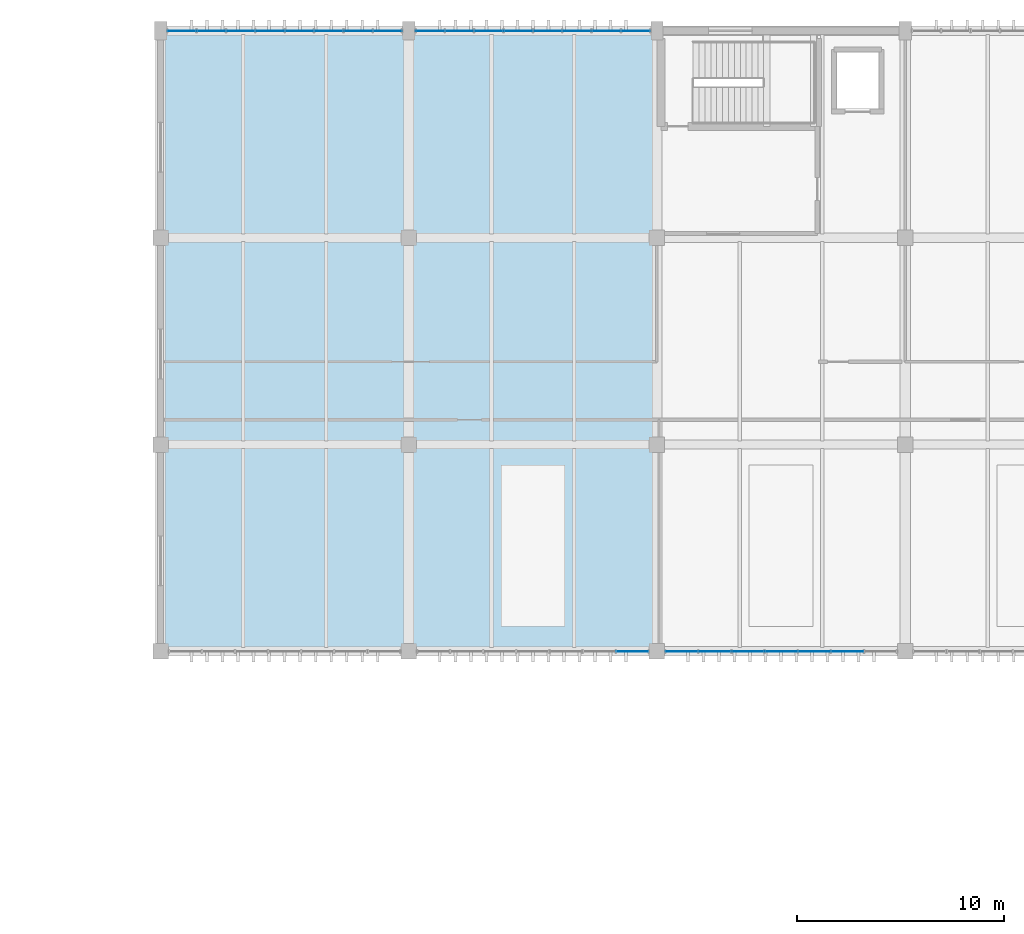
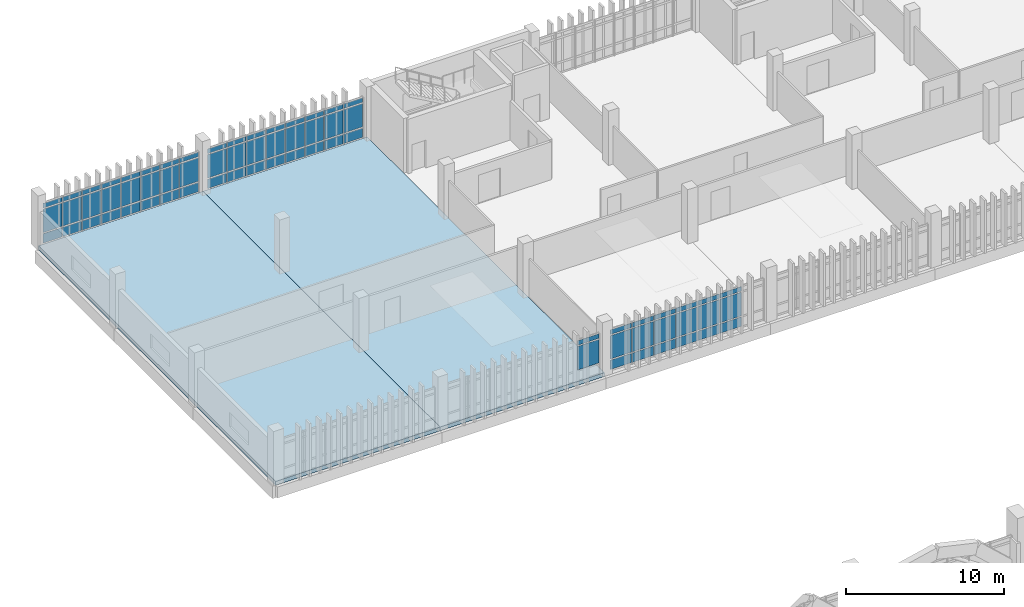
# One storey, part 131 of 161: 68 plates, 2 slabs, 4 elements without a shape of their own.
"""IFC4 building model written with IfcOpenShell, lengths in metres."""

from ifc_helpers import new_model, si_unit, direction, frame, origin, origin_2d, place, context, subcontext, project, spatial, polyline, rectangle, outline, extrude, material, layer, layer_set, type_object, element, aggregate, save


model = new_model("IFC4")

# Units and contexts
model_context = context("Model", 3, precision=1e-05, world=origin(), true_north=direction((0.0, 1.0)))
body_context = subcontext(model_context, "Body", "Model", "MODEL_VIEW")
ifc_project = project(units=[si_unit("LENGTHUNIT", "METRE"), si_unit("AREAUNIT", "SQUARE_METRE"), si_unit("VOLUMEUNIT", "CUBIC_METRE"), si_unit("PLANEANGLEUNIT", "RADIAN"), si_unit("MASSUNIT", "GRAM", prefix="KILO")], contexts=[model_context])

# Site, building, storey
site_placement = place(None, origin())
site = spatial("IfcSite", under=ifc_project, at=site_placement, CompositionType="ELEMENT")
building_placement = place(site_placement, origin())
building = spatial("IfcBuilding", under=site, at=building_placement, Name="Mersad Railyard Sports Hall", CompositionType="ELEMENT")
storey_placement = place(building_placement, frame((0.0, 0.0, 4.800048828125)))
storey = spatial("IfcBuildingStorey", under=building, at=storey_placement, Name="L01", CompositionType="ELEMENT", Elevation=4.800048828125)

# Curtain wall, plates
ifc_material_1 = material(Name="Aluminium 6063-T6", Category="aluminium")
ifc_layer_1 = layer(ifc_material_1, 0.199951171875)
ifc_layer_set_1 = layer_set([ifc_layer_1], Name="Aluminium 6063-T6")
curtain_wall_type_1 = type_object("IfcCurtainWallType", Name="ARC-CW-CW34", PredefinedType="USERDEFINED", material=ifc_layer_set_1)
curtain_wall_1_placement = place(storey_placement, origin())
curtain_wall_1 = element("IfcCurtainWall", 1, at=curtain_wall_1_placement, inside=storey, type_object=curtain_wall_type_1, Name="Curtain wall CW34-0095", ObjectType="CURTAIN WALL", PredefinedType="USERDEFINED")
ifc_material_2 = material(Name="Solar-control glass", Category="glass")
ifc_layer_2 = layer(ifc_material_2, 0.028076171875)
ifc_layer_set_2 = layer_set([ifc_layer_2], Name="Solar-control glass")
plate_type = type_object("IfcPlateType", Name="ARC-CW-PNL01", PredefinedType="CURTAIN_PANEL", material=ifc_layer_set_2)
plate_1_placement = place(storey_placement, frame((44.030029296875, 115.0, 0.0849609375), z_axis=(0.0, 0.0, 1.0), x_axis=(1.0, 0.0, 0.0)))
plate_1 = element("IfcPlate", 2, at=plate_1_placement, type_object=plate_type, Name="CW34 Glazed panel 1-1", PredefinedType="CURTAIN_PANEL", context=body_context, shape_type="SweptSolid", body=[
    extrude(rectangle(XDim=1.3759765625, YDim=0.028076171875, at=origin_2d()), origin(), (0.0, 0.0, 1.0), 0.719970703125),
])
plate_2_placement = place(storey_placement, frame((44.030029296875, 115.0, 0.89501953125), z_axis=(0.0, 0.0, 1.0), x_axis=(1.0, 0.0, 0.0)))
plate_2 = element("IfcPlate", 3, at=plate_2_placement, type_object=plate_type, Name="CW34 Glazed panel 1-2", PredefinedType="CURTAIN_PANEL", context=body_context, shape_type="SweptSolid", body=[
    extrude(rectangle(XDim=1.3759765625, YDim=0.028076171875, at=origin_2d()), origin(), (0.0, 0.0, 1.0), 1.81005859375),
])
plate_3_placement = place(storey_placement, frame((44.030029296875, 115.0, 2.794921875), z_axis=(0.0, 0.0, 1.0), x_axis=(1.0, 0.0, 0.0)))
plate_3 = element("IfcPlate", 4, at=plate_3_placement, type_object=plate_type, Name="CW34 Glazed panel 1-3", PredefinedType="CURTAIN_PANEL", context=body_context, shape_type="SweptSolid", body=[
    extrude(rectangle(XDim=1.3759765625, YDim=0.028076171875, at=origin_2d()), origin(), (0.0, 0.0, 1.0), 0.35009765625),
])
plate_4_placement = place(storey_placement, frame((45.449951171875, 115.0, 0.0849609375), z_axis=(0.0, 0.0, 1.0), x_axis=(1.0, 0.0, 0.0)))
plate_4 = element("IfcPlate", 5, at=plate_4_placement, type_object=plate_type, Name="CW34 Glazed panel 2-1", PredefinedType="CURTAIN_PANEL", context=body_context, shape_type="SweptSolid", body=[
    extrude(rectangle(XDim=1.3759765625, YDim=0.028076171875, at=origin_2d()), origin(), (0.0, 0.0, 1.0), 0.719970703125),
])
plate_5_placement = place(storey_placement, frame((45.449951171875, 115.0, 0.89501953125), z_axis=(0.0, 0.0, 1.0), x_axis=(1.0, 0.0, 0.0)))
plate_5 = element("IfcPlate", 6, at=plate_5_placement, type_object=plate_type, Name="CW34 Glazed panel 2-2", PredefinedType="CURTAIN_PANEL", context=body_context, shape_type="SweptSolid", body=[
    extrude(rectangle(XDim=1.3759765625, YDim=0.028076171875, at=origin_2d()), origin(), (0.0, 0.0, 1.0), 1.81005859375),
])
plate_6_placement = place(storey_placement, frame((45.449951171875, 115.0, 2.794921875), z_axis=(0.0, 0.0, 1.0), x_axis=(1.0, 0.0, 0.0)))
plate_6 = element("IfcPlate", 7, at=plate_6_placement, type_object=plate_type, Name="CW34 Glazed panel 2-3", PredefinedType="CURTAIN_PANEL", context=body_context, shape_type="SweptSolid", body=[
    extrude(rectangle(XDim=1.3759765625, YDim=0.028076171875, at=origin_2d()), origin(), (0.0, 0.0, 1.0), 0.35009765625),
])
plate_7_placement = place(storey_placement, frame((46.8701171875, 115.0, 0.0849609375), z_axis=(0.0, 0.0, 1.0), x_axis=(1.0, 0.0, 0.0)))
plate_7 = element("IfcPlate", 8, at=plate_7_placement, type_object=plate_type, Name="CW34 Glazed panel 3-1", PredefinedType="CURTAIN_PANEL", context=body_context, shape_type="SweptSolid", body=[
    extrude(rectangle(XDim=1.3759765625, YDim=0.028076171875, at=origin_2d()), origin(), (0.0, 0.0, 1.0), 0.719970703125),
])
plate_8_placement = place(storey_placement, frame((46.8701171875, 115.0, 0.89501953125), z_axis=(0.0, 0.0, 1.0), x_axis=(1.0, 0.0, 0.0)))
plate_8 = element("IfcPlate", 9, at=plate_8_placement, type_object=plate_type, Name="CW34 Glazed panel 3-2", PredefinedType="CURTAIN_PANEL", context=body_context, shape_type="SweptSolid", body=[
    extrude(rectangle(XDim=1.3759765625, YDim=0.028076171875, at=origin_2d()), origin(), (0.0, 0.0, 1.0), 1.81005859375),
])
plate_9_placement = place(storey_placement, frame((46.8701171875, 115.0, 2.794921875), z_axis=(0.0, 0.0, 1.0), x_axis=(1.0, 0.0, 0.0)))
plate_9 = element("IfcPlate", 10, at=plate_9_placement, type_object=plate_type, Name="CW34 Glazed panel 3-3", PredefinedType="CURTAIN_PANEL", context=body_context, shape_type="SweptSolid", body=[
    extrude(rectangle(XDim=1.3759765625, YDim=0.028076171875, at=origin_2d()), origin(), (0.0, 0.0, 1.0), 0.35009765625),
])
plate_10_placement = place(storey_placement, frame((48.2900390625, 115.0, 0.0849609375), z_axis=(0.0, 0.0, 1.0), x_axis=(1.0, 0.0, 0.0)))
plate_10 = element("IfcPlate", 11, at=plate_10_placement, type_object=plate_type, Name="CW34 Glazed panel 4-1", PredefinedType="CURTAIN_PANEL", context=body_context, shape_type="SweptSolid", body=[
    extrude(rectangle(XDim=1.3759765625, YDim=0.028076171875, at=origin_2d()), origin(), (0.0, 0.0, 1.0), 0.719970703125),
])
plate_11_placement = place(storey_placement, frame((48.2900390625, 115.0, 0.89501953125), z_axis=(0.0, 0.0, 1.0), x_axis=(1.0, 0.0, 0.0)))
plate_11 = element("IfcPlate", 12, at=plate_11_placement, type_object=plate_type, Name="CW34 Glazed panel 4-2", PredefinedType="CURTAIN_PANEL", context=body_context, shape_type="SweptSolid", body=[
    extrude(rectangle(XDim=1.3759765625, YDim=0.028076171875, at=origin_2d()), origin(), (0.0, 0.0, 1.0), 1.81005859375),
])
plate_12_placement = place(storey_placement, frame((48.2900390625, 115.0, 2.794921875), z_axis=(0.0, 0.0, 1.0), x_axis=(1.0, 0.0, 0.0)))
plate_12 = element("IfcPlate", 13, at=plate_12_placement, type_object=plate_type, Name="CW34 Glazed panel 4-3", PredefinedType="CURTAIN_PANEL", context=body_context, shape_type="SweptSolid", body=[
    extrude(rectangle(XDim=1.3759765625, YDim=0.028076171875, at=origin_2d()), origin(), (0.0, 0.0, 1.0), 0.35009765625),
])
plate_13_placement = place(storey_placement, frame((49.7099609375, 115.0, 0.0849609375), z_axis=(0.0, 0.0, 1.0), x_axis=(1.0, 0.0, 0.0)))
plate_13 = element("IfcPlate", 14, at=plate_13_placement, type_object=plate_type, Name="CW34 Glazed panel 5-1", PredefinedType="CURTAIN_PANEL", context=body_context, shape_type="SweptSolid", body=[
    extrude(rectangle(XDim=1.3759765625, YDim=0.028076171875, at=origin_2d()), origin(), (0.0, 0.0, 1.0), 0.719970703125),
])
plate_14_placement = place(storey_placement, frame((49.7099609375, 115.0, 0.89501953125), z_axis=(0.0, 0.0, 1.0), x_axis=(1.0, 0.0, 0.0)))
plate_14 = element("IfcPlate", 15, at=plate_14_placement, type_object=plate_type, Name="CW34 Glazed panel 5-2", PredefinedType="CURTAIN_PANEL", context=body_context, shape_type="SweptSolid", body=[
    extrude(rectangle(XDim=1.3759765625, YDim=0.028076171875, at=origin_2d()), origin(), (0.0, 0.0, 1.0), 1.81005859375),
])
plate_15_placement = place(storey_placement, frame((49.7099609375, 115.0, 2.794921875), z_axis=(0.0, 0.0, 1.0), x_axis=(1.0, 0.0, 0.0)))
plate_15 = element("IfcPlate", 16, at=plate_15_placement, type_object=plate_type, Name="CW34 Glazed panel 5-3", PredefinedType="CURTAIN_PANEL", context=body_context, shape_type="SweptSolid", body=[
    extrude(rectangle(XDim=1.3759765625, YDim=0.028076171875, at=origin_2d()), origin(), (0.0, 0.0, 1.0), 0.35009765625),
])
plate_16_placement = place(storey_placement, frame((51.1298828125, 115.0, 0.0849609375), z_axis=(0.0, 0.0, 1.0), x_axis=(1.0, 0.0, 0.0)))
plate_16 = element("IfcPlate", 17, at=plate_16_placement, type_object=plate_type, Name="CW34 Glazed panel 6-1", PredefinedType="CURTAIN_PANEL", context=body_context, shape_type="SweptSolid", body=[
    extrude(rectangle(XDim=1.3759765625, YDim=0.028076171875, at=origin_2d()), origin(), (0.0, 0.0, 1.0), 0.719970703125),
])
plate_17_placement = place(storey_placement, frame((51.1298828125, 115.0, 0.89501953125), z_axis=(0.0, 0.0, 1.0), x_axis=(1.0, 0.0, 0.0)))
plate_17 = element("IfcPlate", 18, at=plate_17_placement, type_object=plate_type, Name="CW34 Glazed panel 6-2", PredefinedType="CURTAIN_PANEL", context=body_context, shape_type="SweptSolid", body=[
    extrude(rectangle(XDim=1.3759765625, YDim=0.028076171875, at=origin_2d()), origin(), (0.0, 0.0, 1.0), 1.81005859375),
])
plate_18_placement = place(storey_placement, frame((51.1298828125, 115.0, 2.794921875), z_axis=(0.0, 0.0, 1.0), x_axis=(1.0, 0.0, 0.0)))
plate_18 = element("IfcPlate", 19, at=plate_18_placement, type_object=plate_type, Name="CW34 Glazed panel 6-3", PredefinedType="CURTAIN_PANEL", context=body_context, shape_type="SweptSolid", body=[
    extrude(rectangle(XDim=1.3759765625, YDim=0.028076171875, at=origin_2d()), origin(), (0.0, 0.0, 1.0), 0.35009765625),
])
plate_19_placement = place(storey_placement, frame((52.550048828125, 115.0, 0.0849609375), z_axis=(0.0, 0.0, 1.0), x_axis=(1.0, 0.0, 0.0)))
plate_19 = element("IfcPlate", 20, at=plate_19_placement, type_object=plate_type, Name="CW34 Glazed panel 7-1", PredefinedType="CURTAIN_PANEL", context=body_context, shape_type="SweptSolid", body=[
    extrude(rectangle(XDim=1.3759765625, YDim=0.028076171875, at=origin_2d()), origin(), (0.0, 0.0, 1.0), 0.719970703125),
])
plate_20_placement = place(storey_placement, frame((52.550048828125, 115.0, 0.89501953125), z_axis=(0.0, 0.0, 1.0), x_axis=(1.0, 0.0, 0.0)))
plate_20 = element("IfcPlate", 21, at=plate_20_placement, type_object=plate_type, Name="CW34 Glazed panel 7-2", PredefinedType="CURTAIN_PANEL", context=body_context, shape_type="SweptSolid", body=[
    extrude(rectangle(XDim=1.3759765625, YDim=0.028076171875, at=origin_2d()), origin(), (0.0, 0.0, 1.0), 1.81005859375),
])
plate_21_placement = place(storey_placement, frame((52.550048828125, 115.0, 2.794921875), z_axis=(0.0, 0.0, 1.0), x_axis=(1.0, 0.0, 0.0)))
plate_21 = element("IfcPlate", 22, at=plate_21_placement, type_object=plate_type, Name="CW34 Glazed panel 7-3", PredefinedType="CURTAIN_PANEL", context=body_context, shape_type="SweptSolid", body=[
    extrude(rectangle(XDim=1.3759765625, YDim=0.028076171875, at=origin_2d()), origin(), (0.0, 0.0, 1.0), 0.35009765625),
])
plate_22_placement = place(storey_placement, frame((53.969970703125, 115.0, 0.0849609375), z_axis=(0.0, 0.0, 1.0), x_axis=(1.0, 0.0, 0.0)))
plate_22 = element("IfcPlate", 23, at=plate_22_placement, type_object=plate_type, Name="CW34 Glazed panel 8-1", PredefinedType="CURTAIN_PANEL", context=body_context, shape_type="SweptSolid", body=[
    extrude(rectangle(XDim=1.3759765625, YDim=0.028076171875, at=origin_2d()), origin(), (0.0, 0.0, 1.0), 0.719970703125),
])
plate_23_placement = place(storey_placement, frame((53.969970703125, 115.0, 0.89501953125), z_axis=(0.0, 0.0, 1.0), x_axis=(1.0, 0.0, 0.0)))
plate_23 = element("IfcPlate", 24, at=plate_23_placement, type_object=plate_type, Name="CW34 Glazed panel 8-2", PredefinedType="CURTAIN_PANEL", context=body_context, shape_type="SweptSolid", body=[
    extrude(rectangle(XDim=1.3759765625, YDim=0.028076171875, at=origin_2d()), origin(), (0.0, 0.0, 1.0), 1.81005859375),
])
plate_24_placement = place(storey_placement, frame((53.969970703125, 115.0, 2.794921875), z_axis=(0.0, 0.0, 1.0), x_axis=(1.0, 0.0, 0.0)))
plate_24 = element("IfcPlate", 25, at=plate_24_placement, type_object=plate_type, Name="CW34 Glazed panel 8-3", PredefinedType="CURTAIN_PANEL", context=body_context, shape_type="SweptSolid", body=[
    extrude(rectangle(XDim=1.3759765625, YDim=0.028076171875, at=origin_2d()), origin(), (0.0, 0.0, 1.0), 0.35009765625),
])
aggregate(curtain_wall_1, [plate_1, plate_2, plate_3, plate_4, plate_5, plate_6, plate_7, plate_8, plate_9, plate_10, plate_11, plate_12, plate_13, plate_14, plate_15, plate_16, plate_17, plate_18, plate_19, plate_20, plate_21, plate_22, plate_23, plate_24])

curtain_wall_2_placement = place(storey_placement, origin())
curtain_wall_2 = element("IfcCurtainWall", 26, at=curtain_wall_2_placement, inside=storey, type_object=curtain_wall_type_1, Name="Curtain wall CW34-0096", ObjectType="CURTAIN WALL", PredefinedType="USERDEFINED")
plate_25_placement = place(storey_placement, frame((56.030029296875, 115.0, 0.0849609375), z_axis=(0.0, 0.0, 1.0), x_axis=(1.0, 0.0, 0.0)))
plate_25 = element("IfcPlate", 27, at=plate_25_placement, type_object=plate_type, Name="CW34 Glazed panel 1-1", PredefinedType="CURTAIN_PANEL", context=body_context, shape_type="SweptSolid", body=[
    extrude(rectangle(XDim=1.3759765625, YDim=0.028076171875, at=origin_2d()), origin(), (0.0, 0.0, 1.0), 0.719970703125),
])
plate_26_placement = place(storey_placement, frame((56.030029296875, 115.0, 0.89501953125), z_axis=(0.0, 0.0, 1.0), x_axis=(1.0, 0.0, 0.0)))
plate_26 = element("IfcPlate", 28, at=plate_26_placement, type_object=plate_type, Name="CW34 Glazed panel 1-2", PredefinedType="CURTAIN_PANEL", context=body_context, shape_type="SweptSolid", body=[
    extrude(rectangle(XDim=1.3759765625, YDim=0.028076171875, at=origin_2d()), origin(), (0.0, 0.0, 1.0), 1.81005859375),
])
plate_27_placement = place(storey_placement, frame((56.030029296875, 115.0, 2.794921875), z_axis=(0.0, 0.0, 1.0), x_axis=(1.0, 0.0, 0.0)))
plate_27 = element("IfcPlate", 29, at=plate_27_placement, type_object=plate_type, Name="CW34 Glazed panel 1-3", PredefinedType="CURTAIN_PANEL", context=body_context, shape_type="SweptSolid", body=[
    extrude(rectangle(XDim=1.3759765625, YDim=0.028076171875, at=origin_2d()), origin(), (0.0, 0.0, 1.0), 0.35009765625),
])
plate_28_placement = place(storey_placement, frame((57.449951171875, 115.0, 0.0849609375), z_axis=(0.0, 0.0, 1.0), x_axis=(1.0, 0.0, 0.0)))
plate_28 = element("IfcPlate", 30, at=plate_28_placement, type_object=plate_type, Name="CW34 Glazed panel 2-1", PredefinedType="CURTAIN_PANEL", context=body_context, shape_type="SweptSolid", body=[
    extrude(rectangle(XDim=1.3759765625, YDim=0.028076171875, at=origin_2d()), origin(), (0.0, 0.0, 1.0), 0.719970703125),
])
plate_29_placement = place(storey_placement, frame((57.449951171875, 115.0, 0.89501953125), z_axis=(0.0, 0.0, 1.0), x_axis=(1.0, 0.0, 0.0)))
plate_29 = element("IfcPlate", 31, at=plate_29_placement, type_object=plate_type, Name="CW34 Glazed panel 2-2", PredefinedType="CURTAIN_PANEL", context=body_context, shape_type="SweptSolid", body=[
    extrude(rectangle(XDim=1.3759765625, YDim=0.028076171875, at=origin_2d()), origin(), (0.0, 0.0, 1.0), 1.81005859375),
])
plate_30_placement = place(storey_placement, frame((57.449951171875, 115.0, 2.794921875), z_axis=(0.0, 0.0, 1.0), x_axis=(1.0, 0.0, 0.0)))
plate_30 = element("IfcPlate", 32, at=plate_30_placement, type_object=plate_type, Name="CW34 Glazed panel 2-3", PredefinedType="CURTAIN_PANEL", context=body_context, shape_type="SweptSolid", body=[
    extrude(rectangle(XDim=1.3759765625, YDim=0.028076171875, at=origin_2d()), origin(), (0.0, 0.0, 1.0), 0.35009765625),
])
plate_31_placement = place(storey_placement, frame((58.8701171875, 115.0, 0.0849609375), z_axis=(0.0, 0.0, 1.0), x_axis=(1.0, 0.0, 0.0)))
plate_31 = element("IfcPlate", 33, at=plate_31_placement, type_object=plate_type, Name="CW34 Glazed panel 3-1", PredefinedType="CURTAIN_PANEL", context=body_context, shape_type="SweptSolid", body=[
    extrude(rectangle(XDim=1.3759765625, YDim=0.028076171875, at=origin_2d()), origin(), (0.0, 0.0, 1.0), 0.719970703125),
])
plate_32_placement = place(storey_placement, frame((58.8701171875, 115.0, 0.89501953125), z_axis=(0.0, 0.0, 1.0), x_axis=(1.0, 0.0, 0.0)))
plate_32 = element("IfcPlate", 34, at=plate_32_placement, type_object=plate_type, Name="CW34 Glazed panel 3-2", PredefinedType="CURTAIN_PANEL", context=body_context, shape_type="SweptSolid", body=[
    extrude(rectangle(XDim=1.3759765625, YDim=0.028076171875, at=origin_2d()), origin(), (0.0, 0.0, 1.0), 1.81005859375),
])
plate_33_placement = place(storey_placement, frame((58.8701171875, 115.0, 2.794921875), z_axis=(0.0, 0.0, 1.0), x_axis=(1.0, 0.0, 0.0)))
plate_33 = element("IfcPlate", 35, at=plate_33_placement, type_object=plate_type, Name="CW34 Glazed panel 3-3", PredefinedType="CURTAIN_PANEL", context=body_context, shape_type="SweptSolid", body=[
    extrude(rectangle(XDim=1.3759765625, YDim=0.028076171875, at=origin_2d()), origin(), (0.0, 0.0, 1.0), 0.35009765625),
])
plate_34_placement = place(storey_placement, frame((60.2900390625, 115.0, 0.0849609375), z_axis=(0.0, 0.0, 1.0), x_axis=(1.0, 0.0, 0.0)))
plate_34 = element("IfcPlate", 36, at=plate_34_placement, type_object=plate_type, Name="CW34 Glazed panel 4-1", PredefinedType="CURTAIN_PANEL", context=body_context, shape_type="SweptSolid", body=[
    extrude(rectangle(XDim=1.3759765625, YDim=0.028076171875, at=origin_2d()), origin(), (0.0, 0.0, 1.0), 0.719970703125),
])
plate_35_placement = place(storey_placement, frame((60.2900390625, 115.0, 0.89501953125), z_axis=(0.0, 0.0, 1.0), x_axis=(1.0, 0.0, 0.0)))
plate_35 = element("IfcPlate", 37, at=plate_35_placement, type_object=plate_type, Name="CW34 Glazed panel 4-2", PredefinedType="CURTAIN_PANEL", context=body_context, shape_type="SweptSolid", body=[
    extrude(rectangle(XDim=1.3759765625, YDim=0.028076171875, at=origin_2d()), origin(), (0.0, 0.0, 1.0), 1.81005859375),
])
plate_36_placement = place(storey_placement, frame((60.2900390625, 115.0, 2.794921875), z_axis=(0.0, 0.0, 1.0), x_axis=(1.0, 0.0, 0.0)))
plate_36 = element("IfcPlate", 38, at=plate_36_placement, type_object=plate_type, Name="CW34 Glazed panel 4-3", PredefinedType="CURTAIN_PANEL", context=body_context, shape_type="SweptSolid", body=[
    extrude(rectangle(XDim=1.3759765625, YDim=0.028076171875, at=origin_2d()), origin(), (0.0, 0.0, 1.0), 0.35009765625),
])
plate_37_placement = place(storey_placement, frame((61.7099609375, 115.0, 0.0849609375), z_axis=(0.0, 0.0, 1.0), x_axis=(1.0, 0.0, 0.0)))
plate_37 = element("IfcPlate", 39, at=plate_37_placement, type_object=plate_type, Name="CW34 Glazed panel 5-1", PredefinedType="CURTAIN_PANEL", context=body_context, shape_type="SweptSolid", body=[
    extrude(rectangle(XDim=1.3759765625, YDim=0.028076171875, at=origin_2d()), origin(), (0.0, 0.0, 1.0), 0.719970703125),
])
plate_38_placement = place(storey_placement, frame((61.7099609375, 115.0, 0.89501953125), z_axis=(0.0, 0.0, 1.0), x_axis=(1.0, 0.0, 0.0)))
plate_38 = element("IfcPlate", 40, at=plate_38_placement, type_object=plate_type, Name="CW34 Glazed panel 5-2", PredefinedType="CURTAIN_PANEL", context=body_context, shape_type="SweptSolid", body=[
    extrude(rectangle(XDim=1.3759765625, YDim=0.028076171875, at=origin_2d()), origin(), (0.0, 0.0, 1.0), 1.81005859375),
])
plate_39_placement = place(storey_placement, frame((61.7099609375, 115.0, 2.794921875), z_axis=(0.0, 0.0, 1.0), x_axis=(1.0, 0.0, 0.0)))
plate_39 = element("IfcPlate", 41, at=plate_39_placement, type_object=plate_type, Name="CW34 Glazed panel 5-3", PredefinedType="CURTAIN_PANEL", context=body_context, shape_type="SweptSolid", body=[
    extrude(rectangle(XDim=1.3759765625, YDim=0.028076171875, at=origin_2d()), origin(), (0.0, 0.0, 1.0), 0.35009765625),
])
plate_40_placement = place(storey_placement, frame((63.1298828125, 115.0, 0.0849609375), z_axis=(0.0, 0.0, 1.0), x_axis=(1.0, 0.0, 0.0)))
plate_40 = element("IfcPlate", 42, at=plate_40_placement, type_object=plate_type, Name="CW34 Glazed panel 6-1", PredefinedType="CURTAIN_PANEL", context=body_context, shape_type="SweptSolid", body=[
    extrude(rectangle(XDim=1.3759765625, YDim=0.028076171875, at=origin_2d()), origin(), (0.0, 0.0, 1.0), 0.719970703125),
])
plate_41_placement = place(storey_placement, frame((63.1298828125, 115.0, 0.89501953125), z_axis=(0.0, 0.0, 1.0), x_axis=(1.0, 0.0, 0.0)))
plate_41 = element("IfcPlate", 43, at=plate_41_placement, type_object=plate_type, Name="CW34 Glazed panel 6-2", PredefinedType="CURTAIN_PANEL", context=body_context, shape_type="SweptSolid", body=[
    extrude(rectangle(XDim=1.3759765625, YDim=0.028076171875, at=origin_2d()), origin(), (0.0, 0.0, 1.0), 1.81005859375),
])
plate_42_placement = place(storey_placement, frame((63.1298828125, 115.0, 2.794921875), z_axis=(0.0, 0.0, 1.0), x_axis=(1.0, 0.0, 0.0)))
plate_42 = element("IfcPlate", 44, at=plate_42_placement, type_object=plate_type, Name="CW34 Glazed panel 6-3", PredefinedType="CURTAIN_PANEL", context=body_context, shape_type="SweptSolid", body=[
    extrude(rectangle(XDim=1.3759765625, YDim=0.028076171875, at=origin_2d()), origin(), (0.0, 0.0, 1.0), 0.35009765625),
])
plate_43_placement = place(storey_placement, frame((64.550048828125, 115.0, 0.0849609375), z_axis=(0.0, 0.0, 1.0), x_axis=(1.0, 0.0, 0.0)))
plate_43 = element("IfcPlate", 45, at=plate_43_placement, type_object=plate_type, Name="CW34 Glazed panel 7-1", PredefinedType="CURTAIN_PANEL", context=body_context, shape_type="SweptSolid", body=[
    extrude(rectangle(XDim=1.3759765625, YDim=0.028076171875, at=origin_2d()), origin(), (0.0, 0.0, 1.0), 0.719970703125),
])
plate_44_placement = place(storey_placement, frame((64.550048828125, 115.0, 0.89501953125), z_axis=(0.0, 0.0, 1.0), x_axis=(1.0, 0.0, 0.0)))
plate_44 = element("IfcPlate", 46, at=plate_44_placement, type_object=plate_type, Name="CW34 Glazed panel 7-2", PredefinedType="CURTAIN_PANEL", context=body_context, shape_type="SweptSolid", body=[
    extrude(rectangle(XDim=1.3759765625, YDim=0.028076171875, at=origin_2d()), origin(), (0.0, 0.0, 1.0), 1.81005859375),
])
plate_45_placement = place(storey_placement, frame((64.550048828125, 115.0, 2.794921875), z_axis=(0.0, 0.0, 1.0), x_axis=(1.0, 0.0, 0.0)))
plate_45 = element("IfcPlate", 47, at=plate_45_placement, type_object=plate_type, Name="CW34 Glazed panel 7-3", PredefinedType="CURTAIN_PANEL", context=body_context, shape_type="SweptSolid", body=[
    extrude(rectangle(XDim=1.3759765625, YDim=0.028076171875, at=origin_2d()), origin(), (0.0, 0.0, 1.0), 0.35009765625),
])
plate_46_placement = place(storey_placement, frame((65.969970703125, 115.0, 0.0849609375), z_axis=(0.0, 0.0, 1.0), x_axis=(1.0, 0.0, 0.0)))
plate_46 = element("IfcPlate", 48, at=plate_46_placement, type_object=plate_type, Name="CW34 Glazed panel 8-1", PredefinedType="CURTAIN_PANEL", context=body_context, shape_type="SweptSolid", body=[
    extrude(rectangle(XDim=1.3759765625, YDim=0.028076171875, at=origin_2d()), origin(), (0.0, 0.0, 1.0), 0.719970703125),
])
plate_47_placement = place(storey_placement, frame((65.969970703125, 115.0, 0.89501953125), z_axis=(0.0, 0.0, 1.0), x_axis=(1.0, 0.0, 0.0)))
plate_47 = element("IfcPlate", 49, at=plate_47_placement, type_object=plate_type, Name="CW34 Glazed panel 8-2", PredefinedType="CURTAIN_PANEL", context=body_context, shape_type="SweptSolid", body=[
    extrude(rectangle(XDim=1.3759765625, YDim=0.028076171875, at=origin_2d()), origin(), (0.0, 0.0, 1.0), 1.81005859375),
])
plate_48_placement = place(storey_placement, frame((65.969970703125, 115.0, 2.794921875), z_axis=(0.0, 0.0, 1.0), x_axis=(1.0, 0.0, 0.0)))
plate_48 = element("IfcPlate", 50, at=plate_48_placement, type_object=plate_type, Name="CW34 Glazed panel 8-3", PredefinedType="CURTAIN_PANEL", context=body_context, shape_type="SweptSolid", body=[
    extrude(rectangle(XDim=1.3759765625, YDim=0.028076171875, at=origin_2d()), origin(), (0.0, 0.0, 1.0), 0.35009765625),
])
aggregate(curtain_wall_2, [plate_25, plate_26, plate_27, plate_28, plate_29, plate_30, plate_31, plate_32, plate_33, plate_34, plate_35, plate_36, plate_37, plate_38, plate_39, plate_40, plate_41, plate_42, plate_43, plate_44, plate_45, plate_46, plate_47, plate_48])

ifc_layer_3 = layer(ifc_material_1, 0.159912109375)
ifc_layer_set_3 = layer_set([ifc_layer_3], Name="Aluminium 6063-T6")
curtain_wall_type_2 = type_object("IfcCurtainWallType", Name="ARC-CW-CW37", PredefinedType="USERDEFINED", material=ifc_layer_set_3)
curtain_wall_3_placement = place(storey_placement, origin())
curtain_wall_3 = element("IfcCurtainWall", 51, at=curtain_wall_3_placement, inside=storey, type_object=curtain_wall_type_2, Name="Curtain wall CW37-0105", ObjectType="CURTAIN WALL", PredefinedType="USERDEFINED")
plate_49_placement = place(storey_placement, frame((65.80419921875, 85.0, 0.89501953125), z_axis=(0.0, 0.0, 1.0), x_axis=(-1.0, 0.0, 0.0)))
plate_49 = element("IfcPlate", 52, at=plate_49_placement, type_object=plate_type, Name="CW37 Glazed panel 1-2", PredefinedType="CURTAIN_PANEL", context=body_context, shape_type="SweptSolid", body=[
    extrude(rectangle(XDim=1.557373046875, YDim=0.028076171875, at=origin_2d()), origin(), (0.0, 0.0, 1.0), 1.81005859375),
])
plate_50_placement = place(storey_placement, frame((65.80419921875, 85.0, 2.794921875), z_axis=(0.0, 0.0, 1.0), x_axis=(-1.0, 0.0, 0.0)))
plate_50 = element("IfcPlate", 53, at=plate_50_placement, type_object=plate_type, Name="CW37 Glazed panel 1-3", PredefinedType="CURTAIN_PANEL", context=body_context, shape_type="SweptSolid", body=[
    extrude(rectangle(XDim=1.557373046875, YDim=0.028076171875, at=origin_2d()), origin(), (0.0, 0.0, 1.0), 0.35009765625),
])
aggregate(curtain_wall_3, [plate_49, plate_50])

curtain_wall_4_placement = place(storey_placement, origin())
curtain_wall_4 = element("IfcCurtainWall", 54, at=curtain_wall_4_placement, inside=storey, type_object=curtain_wall_type_2, Name="Curtain wall CW37-0106", ObjectType="CURTAIN WALL", PredefinedType="USERDEFINED")
plate_51_placement = place(storey_placement, frame((76.202880859375, 85.0, 0.0849609375), z_axis=(0.0, 0.0, 1.0), x_axis=(-1.0, 0.0, 0.0)))
plate_51 = element("IfcPlate", 55, at=plate_51_placement, type_object=plate_type, Name="CW37 Glazed panel 2-1", PredefinedType="CURTAIN_PANEL", context=body_context, shape_type="SweptSolid", body=[
    extrude(rectangle(XDim=1.557373046875, YDim=0.028076171875, at=origin_2d()), origin(), (0.0, 0.0, 1.0), 0.719970703125),
])
plate_52_placement = place(storey_placement, frame((76.202880859375, 85.0, 0.89501953125), z_axis=(0.0, 0.0, 1.0), x_axis=(-1.0, 0.0, 0.0)))
plate_52 = element("IfcPlate", 56, at=plate_52_placement, type_object=plate_type, Name="CW37 Glazed panel 2-2", PredefinedType="CURTAIN_PANEL", context=body_context, shape_type="SweptSolid", body=[
    extrude(rectangle(XDim=1.557373046875, YDim=0.028076171875, at=origin_2d()), origin(), (0.0, 0.0, 1.0), 1.81005859375),
])
plate_53_placement = place(storey_placement, frame((76.202880859375, 85.0, 2.794921875), z_axis=(0.0, 0.0, 1.0), x_axis=(-1.0, 0.0, 0.0)))
plate_53 = element("IfcPlate", 57, at=plate_53_placement, type_object=plate_type, Name="CW37 Glazed panel 2-3", PredefinedType="CURTAIN_PANEL", context=body_context, shape_type="SweptSolid", body=[
    extrude(rectangle(XDim=1.557373046875, YDim=0.028076171875, at=origin_2d()), origin(), (0.0, 0.0, 1.0), 0.35009765625),
])
plate_54_placement = place(storey_placement, frame((74.601318359375, 85.0, 0.0849609375), z_axis=(0.0, 0.0, 1.0), x_axis=(-1.0, 0.0, 0.0)))
plate_54 = element("IfcPlate", 58, at=plate_54_placement, type_object=plate_type, Name="CW37 Glazed panel 3-1", PredefinedType="CURTAIN_PANEL", context=body_context, shape_type="SweptSolid", body=[
    extrude(rectangle(XDim=1.557373046875, YDim=0.028076171875, at=origin_2d()), origin(), (0.0, 0.0, 1.0), 0.719970703125),
])
plate_55_placement = place(storey_placement, frame((74.601318359375, 85.0, 0.89501953125), z_axis=(0.0, 0.0, 1.0), x_axis=(-1.0, 0.0, 0.0)))
plate_55 = element("IfcPlate", 59, at=plate_55_placement, type_object=plate_type, Name="CW37 Glazed panel 3-2", PredefinedType="CURTAIN_PANEL", context=body_context, shape_type="SweptSolid", body=[
    extrude(rectangle(XDim=1.557373046875, YDim=0.028076171875, at=origin_2d()), origin(), (0.0, 0.0, 1.0), 1.81005859375),
])
plate_56_placement = place(storey_placement, frame((74.601318359375, 85.0, 2.794921875), z_axis=(0.0, 0.0, 1.0), x_axis=(-1.0, 0.0, 0.0)))
plate_56 = element("IfcPlate", 60, at=plate_56_placement, type_object=plate_type, Name="CW37 Glazed panel 3-3", PredefinedType="CURTAIN_PANEL", context=body_context, shape_type="SweptSolid", body=[
    extrude(rectangle(XDim=1.557373046875, YDim=0.028076171875, at=origin_2d()), origin(), (0.0, 0.0, 1.0), 0.35009765625),
])
plate_57_placement = place(storey_placement, frame((73.0, 85.0, 0.0849609375), z_axis=(0.0, 0.0, 1.0), x_axis=(-1.0, 0.0, 0.0)))
plate_57 = element("IfcPlate", 61, at=plate_57_placement, type_object=plate_type, Name="CW37 Glazed panel 4-1", PredefinedType="CURTAIN_PANEL", context=body_context, shape_type="SweptSolid", body=[
    extrude(rectangle(XDim=1.557373046875, YDim=0.028076171875, at=origin_2d()), origin(), (0.0, 0.0, 1.0), 0.719970703125),
])
plate_58_placement = place(storey_placement, frame((73.0, 85.0, 0.89501953125), z_axis=(0.0, 0.0, 1.0), x_axis=(-1.0, 0.0, 0.0)))
plate_58 = element("IfcPlate", 62, at=plate_58_placement, type_object=plate_type, Name="CW37 Glazed panel 4-2", PredefinedType="CURTAIN_PANEL", context=body_context, shape_type="SweptSolid", body=[
    extrude(rectangle(XDim=1.557373046875, YDim=0.028076171875, at=origin_2d()), origin(), (0.0, 0.0, 1.0), 1.81005859375),
])
plate_59_placement = place(storey_placement, frame((73.0, 85.0, 2.794921875), z_axis=(0.0, 0.0, 1.0), x_axis=(-1.0, 0.0, 0.0)))
plate_59 = element("IfcPlate", 63, at=plate_59_placement, type_object=plate_type, Name="CW37 Glazed panel 4-3", PredefinedType="CURTAIN_PANEL", context=body_context, shape_type="SweptSolid", body=[
    extrude(rectangle(XDim=1.557373046875, YDim=0.028076171875, at=origin_2d()), origin(), (0.0, 0.0, 1.0), 0.35009765625),
])
plate_60_placement = place(storey_placement, frame((71.398681640625, 85.0, 0.0849609375), z_axis=(0.0, 0.0, 1.0), x_axis=(-1.0, 0.0, 0.0)))
plate_60 = element("IfcPlate", 64, at=plate_60_placement, type_object=plate_type, Name="CW37 Glazed panel 5-1", PredefinedType="CURTAIN_PANEL", context=body_context, shape_type="SweptSolid", body=[
    extrude(rectangle(XDim=1.557373046875, YDim=0.028076171875, at=origin_2d()), origin(), (0.0, 0.0, 1.0), 0.719970703125),
])
plate_61_placement = place(storey_placement, frame((71.398681640625, 85.0, 0.89501953125), z_axis=(0.0, 0.0, 1.0), x_axis=(-1.0, 0.0, 0.0)))
plate_61 = element("IfcPlate", 65, at=plate_61_placement, type_object=plate_type, Name="CW37 Glazed panel 5-2", PredefinedType="CURTAIN_PANEL", context=body_context, shape_type="SweptSolid", body=[
    extrude(rectangle(XDim=1.557373046875, YDim=0.028076171875, at=origin_2d()), origin(), (0.0, 0.0, 1.0), 1.81005859375),
])
plate_62_placement = place(storey_placement, frame((71.398681640625, 85.0, 2.794921875), z_axis=(0.0, 0.0, 1.0), x_axis=(-1.0, 0.0, 0.0)))
plate_62 = element("IfcPlate", 66, at=plate_62_placement, type_object=plate_type, Name="CW37 Glazed panel 5-3", PredefinedType="CURTAIN_PANEL", context=body_context, shape_type="SweptSolid", body=[
    extrude(rectangle(XDim=1.557373046875, YDim=0.028076171875, at=origin_2d()), origin(), (0.0, 0.0, 1.0), 0.35009765625),
])
plate_63_placement = place(storey_placement, frame((69.797119140625, 85.0, 0.0849609375), z_axis=(0.0, 0.0, 1.0), x_axis=(-1.0, 0.0, 0.0)))
plate_63 = element("IfcPlate", 67, at=plate_63_placement, type_object=plate_type, Name="CW37 Glazed panel 6-1", PredefinedType="CURTAIN_PANEL", context=body_context, shape_type="SweptSolid", body=[
    extrude(rectangle(XDim=1.557373046875, YDim=0.028076171875, at=origin_2d()), origin(), (0.0, 0.0, 1.0), 0.719970703125),
])
plate_64_placement = place(storey_placement, frame((69.797119140625, 85.0, 0.89501953125), z_axis=(0.0, 0.0, 1.0), x_axis=(-1.0, 0.0, 0.0)))
plate_64 = element("IfcPlate", 68, at=plate_64_placement, type_object=plate_type, Name="CW37 Glazed panel 6-2", PredefinedType="CURTAIN_PANEL", context=body_context, shape_type="SweptSolid", body=[
    extrude(rectangle(XDim=1.557373046875, YDim=0.028076171875, at=origin_2d()), origin(), (0.0, 0.0, 1.0), 1.81005859375),
])
plate_65_placement = place(storey_placement, frame((69.797119140625, 85.0, 2.794921875), z_axis=(0.0, 0.0, 1.0), x_axis=(-1.0, 0.0, 0.0)))
plate_65 = element("IfcPlate", 69, at=plate_65_placement, type_object=plate_type, Name="CW37 Glazed panel 6-3", PredefinedType="CURTAIN_PANEL", context=body_context, shape_type="SweptSolid", body=[
    extrude(rectangle(XDim=1.557373046875, YDim=0.028076171875, at=origin_2d()), origin(), (0.0, 0.0, 1.0), 0.35009765625),
])
plate_66_placement = place(storey_placement, frame((68.19580078125, 85.0, 0.0849609375), z_axis=(0.0, 0.0, 1.0), x_axis=(-1.0, 0.0, 0.0)))
plate_66 = element("IfcPlate", 70, at=plate_66_placement, type_object=plate_type, Name="CW37 Glazed panel 7-1", PredefinedType="CURTAIN_PANEL", context=body_context, shape_type="SweptSolid", body=[
    extrude(rectangle(XDim=1.557373046875, YDim=0.028076171875, at=origin_2d()), origin(), (0.0, 0.0, 1.0), 0.719970703125),
])
plate_67_placement = place(storey_placement, frame((68.19580078125, 85.0, 0.89501953125), z_axis=(0.0, 0.0, 1.0), x_axis=(-1.0, 0.0, 0.0)))
plate_67 = element("IfcPlate", 71, at=plate_67_placement, type_object=plate_type, Name="CW37 Glazed panel 7-2", PredefinedType="CURTAIN_PANEL", context=body_context, shape_type="SweptSolid", body=[
    extrude(rectangle(XDim=1.557373046875, YDim=0.028076171875, at=origin_2d()), origin(), (0.0, 0.0, 1.0), 1.81005859375),
])
plate_68_placement = place(storey_placement, frame((68.19580078125, 85.0, 2.794921875), z_axis=(0.0, 0.0, 1.0), x_axis=(-1.0, 0.0, 0.0)))
plate_68 = element("IfcPlate", 72, at=plate_68_placement, type_object=plate_type, Name="CW37 Glazed panel 7-3", PredefinedType="CURTAIN_PANEL", context=body_context, shape_type="SweptSolid", body=[
    extrude(rectangle(XDim=1.557373046875, YDim=0.028076171875, at=origin_2d()), origin(), (0.0, 0.0, 1.0), 0.35009765625),
])
aggregate(curtain_wall_4, [plate_51, plate_52, plate_53, plate_54, plate_55, plate_56, plate_57, plate_58, plate_59, plate_60, plate_61, plate_62, plate_63, plate_64, plate_65, plate_66, plate_67, plate_68])

# Slabs
ifc_material_3 = material(Name="Concrete C40/50", Category="concrete")
ifc_layer_4 = layer(ifc_material_3, 0.300048828125)
ifc_layer_set_4 = layer_set([ifc_layer_4], Name="Concrete C40/50")
slab_type = type_object("IfcSlabType", Name="STR-SL-FL03", PredefinedType="FLOOR", material=ifc_layer_set_4)
slab_1_placement = place(storey_placement, frame((0.0, 0.0, -0.300048828125)))
element("IfcSlab", 73, at=slab_1_placement, inside=storey, type_object=slab_type, Name="Slab SL03-0070", PredefinedType="FLOOR", context=body_context, shape_type="SweptSolid", body=[
    extrude(outline(polyline([(43.0, 85.0), (55.0, 85.0), (55.0, 115.0), (43.0, 115.0), (43.0, 85.0)])), origin(), (0.0, 0.0, 1.0), 0.300048828125),
])
slab_2_placement = place(storey_placement, frame((0.0, 0.0, -0.300048828125)))
element("IfcSlab", 74, at=slab_2_placement, inside=storey, type_object=slab_type, Name="Slab SL03-0071", PredefinedType="FLOOR", context=body_context, shape_type="SweptSolid", body=[
    extrude(outline(polyline([(55.0, 85.0), (67.0, 85.0), (67.0, 115.0), (55.0, 115.0), (55.0, 85.0)])), origin(), (0.0, 0.0, 1.0), 0.300048828125),
])

save(model, "model.ifc")
